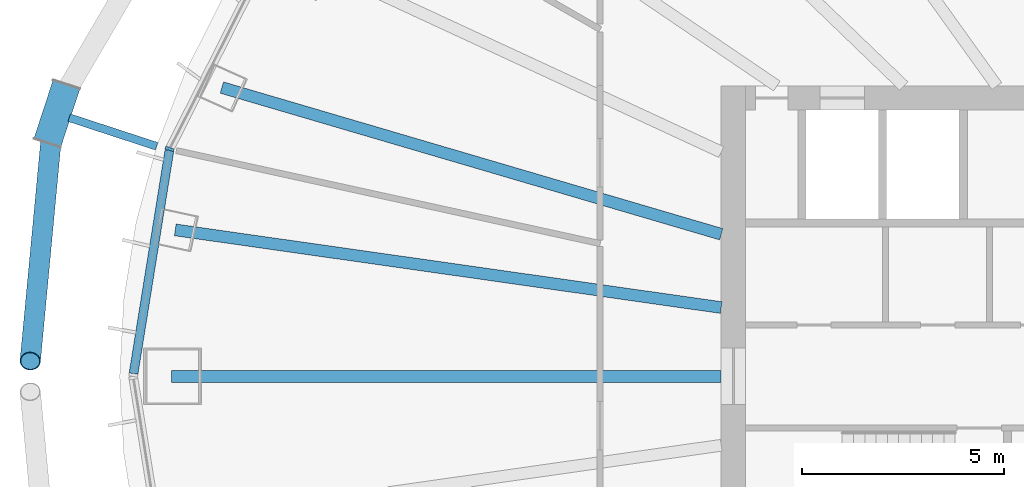
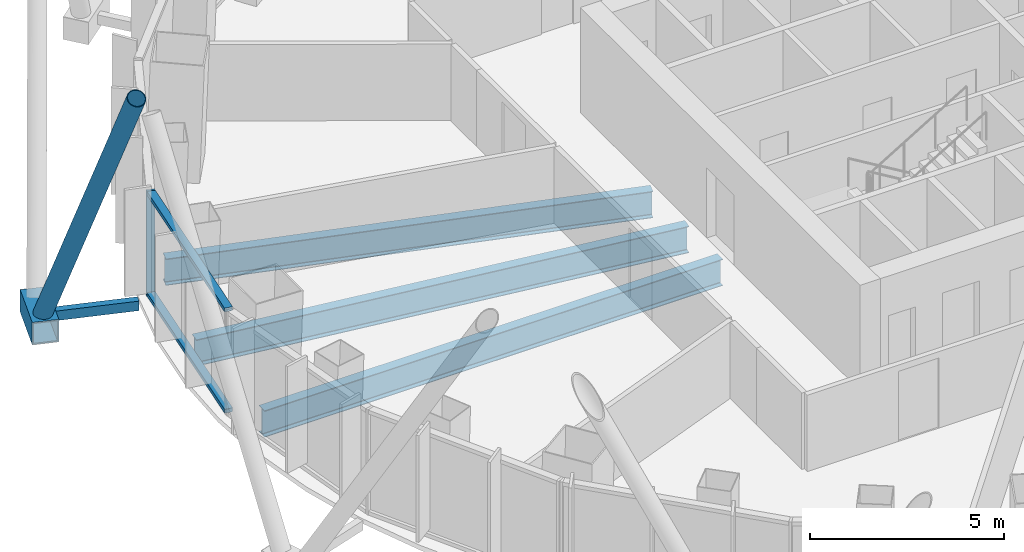
# One storey, part 3 of 18: 6 members, 3 beams, 1 element without a shape of its own.
"""IFC4 building model written with IfcOpenShell, lengths in metres."""

from ifc_helpers import new_model, si_unit, direction, frame, origin, origin_2d, place, context, subcontext, project, spatial, rectangle, hollow_rectangle, hollow_circle, i_section, extrude, material, layer, layer_set, material_profile, profile_set, type_object, element, aggregate, save


model = new_model("IFC4")

# Units and contexts
model_context = context("Model", 3, precision=1e-05, world=origin(), true_north=direction((0.0, 1.0)))
body_context = subcontext(model_context, "Body", "Model", "MODEL_VIEW")
ifc_project = project(units=[si_unit("LENGTHUNIT", "METRE"), si_unit("AREAUNIT", "SQUARE_METRE"), si_unit("VOLUMEUNIT", "CUBIC_METRE"), si_unit("PLANEANGLEUNIT", "RADIAN"), si_unit("MASSUNIT", "GRAM", prefix="KILO")], contexts=[model_context])

# Site, building, storey
site_placement = place(None, origin())
site = spatial("IfcSite", under=ifc_project, at=site_placement, CompositionType="ELEMENT")
building_placement = place(site_placement, origin())
building = spatial("IfcBuilding", under=site, at=building_placement, Name="Siaravel Broadcast Tower", CompositionType="ELEMENT")
storey_placement = place(building_placement, frame((0.0, 0.0, 81.5)))
storey = spatial("IfcBuildingStorey", under=building, at=storey_placement, Name="L19", CompositionType="ELEMENT", Elevation=81.5)

# Beams
ifc_material_1 = material(Name="Steel S355", Category="steel")
ifc_material_profile_1 = material_profile(ifc_material_1, i_section(OverallWidth=0.291748046875, OverallDepth=0.8349609375, WebThickness=0.013916015625, FlangeThickness=0.018798828125, FilletRadius=0.017822265625, at=origin_2d()))
ifc_profile_set_1 = profile_set([ifc_material_profile_1], Name="Steel S355")
beam_type = type_object("IfcBeamType", Name="BM-UB 838x292x176", PredefinedType="BEAM", material=ifc_profile_set_1)
beam_1_placement = place(storey_placement, frame((-24.37890625, 7.161376953125, -0.5673828125), z_axis=(0.959457352, -0.281853843, 0.0), x_axis=(0.281853843, 0.959457352, 0.0)))
element("IfcBeam", 1, at=beam_1_placement, inside=storey, type_object=beam_type, Name="Radial beam RB17", PredefinedType="BEAM", context=body_context, shape_type="SweptSolid", body=[
    extrude(i_section(OverallWidth=0.291748046875, OverallDepth=0.8349609375, WebThickness=0.013916015625, FlangeThickness=0.018798828125, FilletRadius=0.017822265625, at=origin_2d()), origin(), (0.0, 0.0, 1.0), 12.902099609375),
])
beam_2_placement = place(storey_placement, frame((-25.533447265625, 3.63232421875, -0.5673828125), z_axis=(0.990031838, -0.140843741, 0.0), x_axis=(0.140843741, 0.990031838, 0.0)))
element("IfcBeam", 2, at=beam_2_placement, inside=storey, type_object=beam_type, Name="Radial beam RB18", PredefinedType="BEAM", context=body_context, shape_type="SweptSolid", body=[
    extrude(i_section(OverallWidth=0.291748046875, OverallDepth=0.8349609375, WebThickness=0.013916015625, FlangeThickness=0.018798828125, FilletRadius=0.017822265625, at=origin_2d()), origin(), (0.0, 0.0, 1.0), 13.669677734375),
])
beam_3_placement = place(storey_placement, frame((-25.62158203125, 0.0, -0.5673828125), z_axis=(1.0, 0.0, 0.0), x_axis=(0.0, 1.0, 0.0)))
element("IfcBeam", 3, at=beam_3_placement, inside=storey, type_object=beam_type, Name="Radial beam RB19", PredefinedType="BEAM", context=body_context, shape_type="SweptSolid", body=[
    extrude(i_section(OverallWidth=0.291748046875, OverallDepth=0.8349609375, WebThickness=0.013916015625, FlangeThickness=0.018798828125, FilletRadius=0.017822265625, at=origin_2d()), origin(), (0.0, 0.0, 1.0), 13.62158203125),
])

# Curtain wall, members
ifc_material_2 = material(Name="Aluminium 6063-T6", Category="aluminium")
ifc_layer = layer(ifc_material_2, 0.219970703125)
ifc_layer_set = layer_set([ifc_layer], Name="Aluminium 6063-T6")
curtain_wall_type = type_object("IfcCurtainWallType", Name="Unitised curtain wall, zone 1", PredefinedType="NOTDEFINED", material=ifc_layer_set)
curtain_wall_placement = place(storey_placement, origin())
curtain_wall = element("IfcCurtainWall", 4, at=curtain_wall_placement, inside=storey, type_object=curtain_wall_type, Name="L19 Unitised curtain wall, zone 1 06", PredefinedType="NOTDEFINED")
ifc_material_profile_2 = material_profile(ifc_material_2, rectangle(XDim=0.219970703125, YDim=0.070068359375, at=origin_2d()))
ifc_profile_set_2 = profile_set([ifc_material_profile_2], Name="Aluminium 6063-T6")
member_type_1 = type_object("IfcMemberType", Name="CW-Z1 mullion", PredefinedType="MULLION", material=ifc_profile_set_2)
member_1_placement = place(storey_placement, frame((-25.673095703125, 5.639892578125, 0.0), z_axis=(0.0, 0.0, 1.0), x_axis=(0.951177293, -0.308645034, 0.0)))
member_1 = element("IfcMember", 5, at=member_1_placement, type_object=member_type_1, Name="CW-Z1 mullion 2", PredefinedType="MULLION", context=body_context, shape_type="SweptSolid", body=[
    extrude(rectangle(XDim=0.219970703125, YDim=0.070068359375, at=origin_2d()), origin(), (0.0, 0.0, 1.0), 3.300048828125),
])
ifc_material_profile_3 = material_profile(ifc_material_2, rectangle(XDim=0.219970703125, YDim=0.1201171875, at=origin_2d()))
ifc_profile_set_3 = profile_set([ifc_material_profile_3], Name="Aluminium 6063-T6")
member_type_2 = type_object("IfcMemberType", Name="CW-Z1 transom", PredefinedType="USERDEFINED", material=ifc_profile_set_3)
member_2_placement = place(storey_placement, frame((-25.678466796875, 5.605224609375, 0.06005859375), z_axis=(-0.158705381, -0.987325986, 0.0), x_axis=(0.987325986, -0.158705381, 0.0)))
member_2 = element("IfcMember", 6, at=member_2_placement, type_object=member_type_2, Name="CW-Z1 transom 2", ObjectType="TRANSOM", PredefinedType="USERDEFINED", context=body_context, shape_type="SweptSolid", body=[
    extrude(rectangle(XDim=0.219970703125, YDim=0.1201171875, at=origin_2d()), origin(), (0.0, 0.0, 1.0), 5.607177734375),
])
member_3_placement = place(storey_placement, frame((-25.678466796875, 5.605224609375, 3.239990234375), z_axis=(-0.158705381, -0.987325986, 0.0), x_axis=(0.987325986, -0.158705381, 0.0)))
member_3 = element("IfcMember", 7, at=member_3_placement, type_object=member_type_2, Name="CW-Z1 transom 2", ObjectType="TRANSOM", PredefinedType="USERDEFINED", context=body_context, shape_type="SweptSolid", body=[
    extrude(rectangle(XDim=0.219970703125, YDim=0.1201171875, at=origin_2d()), origin(), (0.0, 0.0, 1.0), 5.607177734375),
])
aggregate(curtain_wall, [member_1, member_2, member_3])

# Members
ifc_material_3 = material(Name="Steel S460", Category="steel")
ifc_material_profile_4 = material_profile(ifc_material_3, hollow_circle(Radius=0.25390625, WallThickness=0.02001953125, at=origin_2d()))
ifc_profile_set_4 = profile_set([ifc_material_profile_4], Name="Steel S460")
member_type_3 = type_object("IfcMemberType", Name="Diagrid diagonal CHS 508x20", PredefinedType="BRACE", material=ifc_profile_set_4)
member_4_placement = place(storey_placement, frame((-28.585693359375, 6.153564453125, 0.1201171875), z_axis=(-0.045459037, -0.482780285, 0.874560845), x_axis=(0.995596123, -0.09374625, 0.0)))
element("IfcMember", 8, at=member_4_placement, inside=storey, type_object=member_type_3, Name="Diagrid diagonal R08 station 33A", PredefinedType="BRACE", context=body_context, shape_type="SweptSolid", body=[
    extrude(hollow_circle(Radius=0.25390625, WallThickness=0.02001953125, at=origin_2d()), origin(), (0.0, 0.0, 1.0), 11.960205078125),
])
ifc_material_profile_5 = material_profile(ifc_material_3, hollow_rectangle(XDim=0.699951171875, YDim=0.699951171875, WallThickness=0.0400390625, at=origin_2d()))
ifc_profile_set_5 = profile_set([ifc_material_profile_5], Name="Steel S460")
member_type_4 = type_object("IfcMemberType", Name="Diagrid node BOX 700x700x40", PredefinedType="USERDEFINED", material=ifc_profile_set_5)
member_5_placement = place(storey_placement, frame((-28.2333984375, 7.230224609375, -0.199951171875), z_axis=(-0.31092464, -0.950434568, 0.0), x_axis=(0.950434568, -0.31092464, 0.0)))
element("IfcMember", 9, at=member_5_placement, inside=storey, type_object=member_type_4, Name="Diagrid node R08 station 33", ObjectType="DIAGRID NODE", PredefinedType="USERDEFINED", context=body_context, shape_type="SweptSolid", body=[
    extrude(hollow_rectangle(XDim=0.699951171875, YDim=0.699951171875, WallThickness=0.0400390625, at=origin_2d()), origin(), (0.0, 0.0, 1.0), 1.5068359375),
])
ifc_material_profile_6 = material_profile(ifc_material_3, hollow_rectangle(XDim=0.199951171875, YDim=0.300048828125, WallThickness=0.012451171875, at=origin_2d()))
ifc_profile_set_6 = profile_set([ifc_material_profile_6], Name="Steel S460")
member_type_5 = type_object("IfcMemberType", Name="Diagrid node arm RHS 300x200x12.5", PredefinedType="STRUT", material=ifc_profile_set_6)
member_6_placement = place(storey_placement, frame((-25.99658203125, 5.705810546875, -0.199951171875), z_axis=(-0.950456392, 0.310857921, 0.0), x_axis=(-0.310857921, -0.950456392, 0.0)))
element("IfcMember", 10, at=member_6_placement, inside=storey, type_object=member_type_5, Name="Node arm R08 station 33", PredefinedType="STRUT", context=body_context, shape_type="SweptSolid", body=[
    extrude(hollow_rectangle(XDim=0.199951171875, YDim=0.300048828125, WallThickness=0.012451171875, at=origin_2d()), origin(), (0.0, 0.0, 1.0), 2.280029296875),
])

save(model, "model.ifc")
